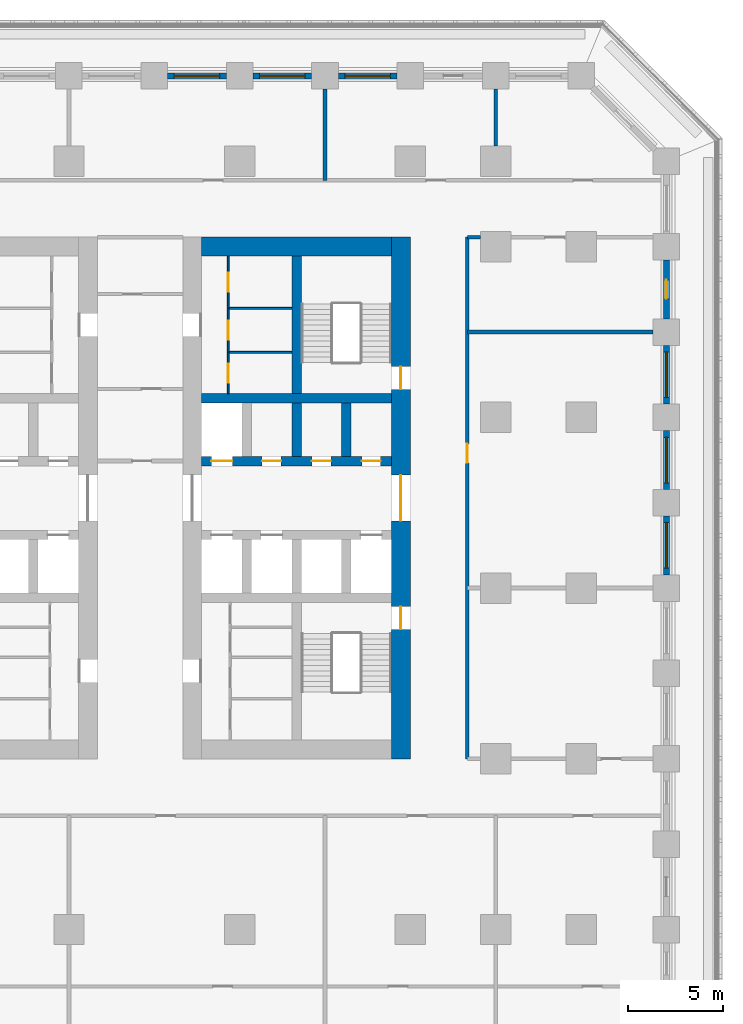
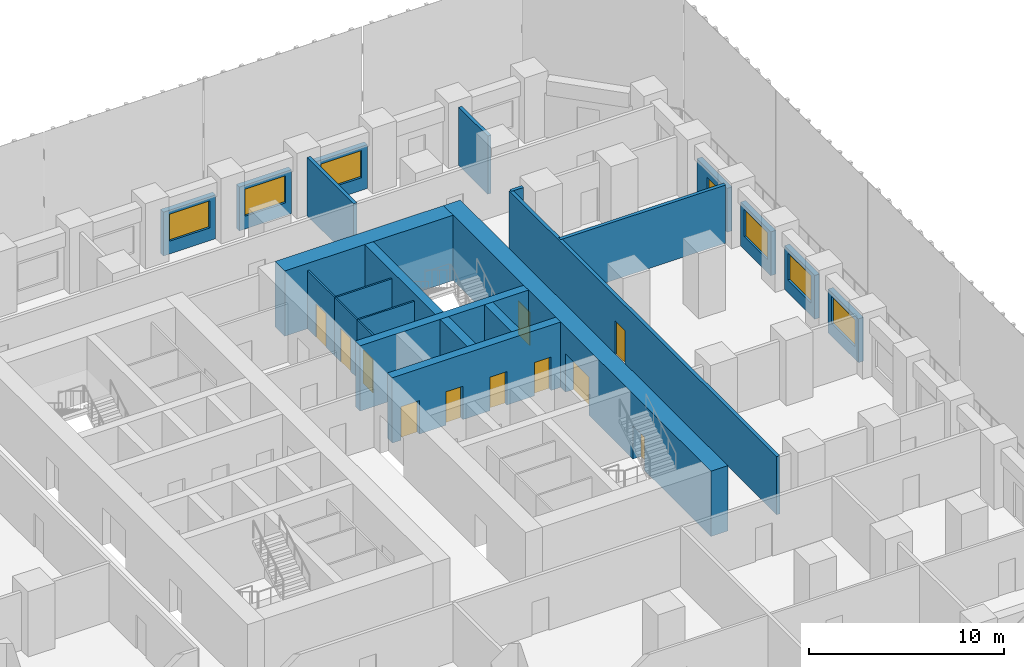
# One storey, part 7 of 14: 24 walls, 12 doors, 6 windows, 18 openings.
"""IFC4 building model written with IfcOpenShell, lengths in metres."""

import ifcopenshell
import ifcopenshell.guid

model = None  # the IFC model being written
_history = None  # IfcOwnerHistory: only IFC2X3 demands one
_inside = {}  # id of a spatial element -> (the spatial element, [elements in it])
_under = {}  # id of a project, library or spatial element -> (it, [spatial elements below it])
_declared = {}  # id of a project -> (the project, [libraries it declares])
_typed = {}  # id of a type object -> (the type object, [elements of that type])
_made_of = {}  # id of a material, layer set ... -> (it, [elements and type objects made of it])


def new_model(schema):
    """Start an empty IFC model of exactly this schema.

    Asked for "IFC4X3", IfcOpenShell would pick the latest addendum, in which some entities
    have other attributes; the version numbers below select the first issue.
    IFC2X3 requires an IfcOwnerHistory on every rooted entity: one is made here for all.
    """
    global model, _history
    if schema == "IFC4X3":
        model = ifcopenshell.file(schema_version=(4, 3, 0, 0))
    else:
        model = ifcopenshell.file(schema=schema)
    _inside.clear()
    _under.clear()
    _declared.clear()
    _typed.clear()
    _made_of.clear()
    _history = None
    if model.schema == "IFC2X3":
        org = make("IfcOrganization", Name="unknown")
        user = make(
            "IfcPersonAndOrganization",
            ThePerson=make("IfcPerson", FamilyName="unknown"),
            TheOrganization=org,
        )
        app = make(
            "IfcApplication",
            ApplicationDeveloper=org,
            Version="unknown",
            ApplicationFullName="unknown",
            ApplicationIdentifier="unknown",
        )
        _history = make(
            "IfcOwnerHistory",
            OwningUser=user,
            OwningApplication=app,
            ChangeAction="ADDED",
            CreationDate=0,
        )
    return model


def make(cls, **values):
    """One entity of the class cls with the attributes given. An attribute that is None is left unset."""
    return model.create_entity(
        cls, **{name: value for name, value in values.items() if value is not None}
    )


def rooted(cls, **values):
    """An entity with a GlobalId (a new one), such as an element, a storey or a relation."""
    return make(cls, GlobalId=ifcopenshell.guid.new(), OwnerHistory=_history, **values)


def si_unit(unit_type, name, prefix=None):
    """IfcSIUnit, for example si_unit("LENGTHUNIT", "METRE", prefix="MILLI")."""
    return make("IfcSIUnit", UnitType=unit_type, Prefix=prefix, Name=name)


def assignment(units):
    """IfcUnitAssignment: the units of a project."""
    return None if units is None else make("IfcUnitAssignment", Units=units)


def point(xyz):
    """IfcCartesianPoint."""
    return None if xyz is None else make("IfcCartesianPoint", Coordinates=xyz)


def direction(xyz):
    """IfcDirection."""
    return None if xyz is None else make("IfcDirection", DirectionRatios=xyz)


def frame(location, z_axis=None, x_axis=None):
    """IfcAxis2Placement3D, a coordinate frame: its origin and axes. An axis left out is left unset."""
    return make(
        "IfcAxis2Placement3D",
        Location=point(location),
        Axis=direction(z_axis),
        RefDirection=direction(x_axis),
    )


def frame_2d(location, x_axis=None):
    """IfcAxis2Placement2D, a coordinate frame in the plane: its origin and x axis."""
    return make(
        "IfcAxis2Placement2D", Location=point(location), RefDirection=direction(x_axis)
    )


def origin():
    """The frame at (0, 0, 0) with its axes left unset."""
    return frame((0.0, 0.0, 0.0))


def place(relative_to, where):
    """IfcLocalPlacement: puts the frame where relative to a parent placement (None: the world)."""
    return make(
        "IfcLocalPlacement", PlacementRelTo=relative_to, RelativePlacement=where
    )


def context(
    kind, dimensions, precision=None, world=None, true_north=None, identifier=None
):
    """IfcGeometricRepresentationContext, for example the 3D "Model" context."""
    return make(
        "IfcGeometricRepresentationContext",
        ContextIdentifier=identifier,
        ContextType=kind,
        CoordinateSpaceDimension=dimensions,
        Precision=precision,
        WorldCoordinateSystem=world,
        TrueNorth=true_north,
    )


def subcontext(parent, identifier, kind, view, scale=None):
    """IfcGeometricRepresentationSubContext, for example "Body" below "Model"."""
    return make(
        "IfcGeometricRepresentationSubContext",
        ContextIdentifier=identifier,
        ContextType=kind,
        ParentContext=parent,
        TargetScale=scale,
        TargetView=view,
    )


def project(units=None, contexts=None):
    """IfcProject with its units and contexts."""
    return rooted(
        "IfcProject",
        Name="project",
        RepresentationContexts=contexts,
        UnitsInContext=assignment(units),
    )


def spatial(cls, under=None, at=None, **own):
    """A site, building, storey or space (cls), placed at a placement, below another one or the project."""
    s = rooted(cls, ObjectPlacement=at, **own)
    if under is not None:
        _under.setdefault(under.id(), (under, []))[1].append(s)
    return s


def profile(cls, at=None, kind="AREA", **sizes):
    """A parametric profile (cls). Its sizes go by their IFC names, for example OverallWidth=200.0."""
    return make(cls, ProfileType=kind, Position=at, **sizes)


def rectangle(**sizes):
    """IfcRectangleProfileDef."""
    return profile("IfcRectangleProfileDef", **sizes)


def extrude(swept, where, along, depth):
    """IfcExtrudedAreaSolid: the profile swept, set in the frame where, extruded along a direction by depth."""
    return make(
        "IfcExtrudedAreaSolid",
        SweptArea=swept,
        Position=where,
        ExtrudedDirection=direction(along),
        Depth=depth,
    )


def shape(context_of_items, identifier, shape_type, items):
    """IfcShapeRepresentation: the items that make up one representation, for example the "Body"."""
    return make(
        "IfcShapeRepresentation",
        ContextOfItems=context_of_items,
        RepresentationIdentifier=identifier,
        RepresentationType=shape_type,
        Items=items,
    )


def material(Name=None, Category=None):
    """IfcMaterial."""
    return make("IfcMaterial", Name=Name, Category=Category)


def layer(
    of_material, thickness, ventilated=None, Name=None, Category=None, Priority=None
):
    """IfcMaterialLayer: one layer of a wall or slab, of a material (None: an air gap)."""
    return make(
        "IfcMaterialLayer",
        Material=of_material,
        LayerThickness=thickness,
        IsVentilated=ventilated,
        Name=Name,
        Category=Category,
        Priority=Priority,
    )


def layer_set(layers, Name=None):
    """IfcMaterialLayerSet."""
    return make("IfcMaterialLayerSet", MaterialLayers=layers, LayerSetName=Name)


def made_of(thing, what):
    """Note that an element or type object is made of a material, layer set ...; save() writes the relation."""
    if what is not None:
        _made_of.setdefault(what.id(), (what, []))[1].append(thing)
    return thing


def type_object(cls, material=None, **own):
    """A type object (cls), such as IfcWallType, which elements share."""
    return made_of(rooted(cls, **own), material)


def element(
    cls,
    number,
    at=None,
    inside=None,
    cuts=None,
    type_object=None,
    material=None,
    context=None,
    identifier="Body",
    shape_type=None,
    held_by="IfcProductDefinitionShape",
    body=None,
    shapes=None,
    **own,
):
    """One element of the class cls, such as IfcWall. Its Tag is "e" and its number.

    at: its placement. inside: the storey or other place that contains it. cuts: it is an
    opening in that element (IfcRelVoidsElement). A single representation is given by context,
    identifier, shape_type and body (its items); several are given by shapes. held_by: the class
    of the entity that holds the representations. save() writes the other relations.
    """
    e = rooted(cls, Tag="e%d" % number, ObjectPlacement=at, **own)
    if body is not None:
        shapes = [shape(context, identifier, shape_type, body)]
    if shapes is not None:
        e.Representation = make(held_by, Representations=shapes)
    if inside is not None:
        _inside.setdefault(inside.id(), (inside, []))[1].append(e)
    if cuts is not None:
        rooted(
            "IfcRelVoidsElement", RelatingBuildingElement=cuts, RelatedOpeningElement=e
        )
    if type_object is not None:
        _typed.setdefault(type_object.id(), (type_object, []))[1].append(e)
    return made_of(e, material)


def fill(opening, filler):
    """IfcRelFillsElement: the door or window that sits in an opening."""
    return rooted(
        "IfcRelFillsElement",
        RelatingOpeningElement=opening,
        RelatedBuildingElement=filler,
    )


def aggregate(whole, parts):
    """IfcRelAggregates: a whole, such as a stair, and the parts it consists of."""
    return rooted("IfcRelAggregates", RelatingObject=whole, RelatedObjects=parts)


def save(model, path):
    """Write the relations noted so far, then the file.

    IfcRelAggregates (storeys below a building ...), IfcRelContainedInSpatialStructure (elements
    in a storey), IfcRelDefinesByType, IfcRelAssociatesMaterial and IfcRelDeclares: one each for
    every whole, place, type object, material and project.
    """
    for whole, parts in _under.values():
        aggregate(whole, parts)
    for where, things in _inside.values():
        rooted(
            "IfcRelContainedInSpatialStructure",
            RelatedElements=things,
            RelatingStructure=where,
        )
    for kind, things in _typed.values():
        rooted("IfcRelDefinesByType", RelatedObjects=things, RelatingType=kind)
    for what, things in _made_of.values():
        rooted("IfcRelAssociatesMaterial", RelatedObjects=things, RelatingMaterial=what)
    for by, libraries in _declared.values():
        rooted("IfcRelDeclares", RelatingContext=by, RelatedDefinitions=libraries)
    model.write(path)


model = new_model("IFC4")

# Units and contexts
model_context = context("Model", 3, precision=1e-05, world=origin(), true_north=direction((0.0, 1.0)))
body_context = subcontext(model_context, "Body", "Model", "MODEL_VIEW")
ifc_project = project(units=[si_unit("LENGTHUNIT", "METRE"), si_unit("AREAUNIT", "SQUARE_METRE"), si_unit("VOLUMEUNIT", "CUBIC_METRE"), si_unit("PLANEANGLEUNIT", "RADIAN"), si_unit("MASSUNIT", "GRAM", prefix="KILO")], contexts=[model_context])

# Site, building, storey
site_placement = place(None, origin())
site = spatial("IfcSite", under=ifc_project, at=site_placement, CompositionType="ELEMENT")
building_placement = place(site_placement, origin())
building = spatial("IfcBuilding", under=site, at=building_placement, Name="Corbel Stack Research Tower", CompositionType="ELEMENT")
storey_placement = place(building_placement, frame((0.0, 0.0, 50.10009765625)))
storey = spatial("IfcBuildingStorey", under=building, at=storey_placement, Name="L11", CompositionType="ELEMENT", Elevation=50.10009765625)

# Wall, openings, doors
ifc_material_1 = material(Name="Concrete C70/85", Category="concrete")
ifc_layer_1 = layer(ifc_material_1, 1.0)
ifc_layer_set_1 = layer_set([ifc_layer_1], Name="Concrete C70/85")
wall_type_1 = type_object("IfcWallType", Name="CW-1000-70", PredefinedType="SHEAR", material=ifc_layer_set_1)
wall_1_placement = place(storey_placement, frame((17.5, -9.0, 0.0), z_axis=(0.0, 0.0, 1.0), x_axis=(0.0, 1.0, 0.0)))
wall_1 = element("IfcWall", 1, at=wall_1_placement, inside=storey, type_object=wall_type_1, Name="East core wall, east face L11", PredefinedType="SHEAR", context=body_context, shape_type="SweptSolid", body=[
    extrude(rectangle(XDim=27.5, YDim=1.0, at=frame_2d((13.75, 0.0))), origin(), (0.0, 0.0, 1.0), 4.099853515625),
])
opening_1_placement = place(wall_1_placement, frame((12.550048828125, 0.0, 0.0)))
opening_1 = element("IfcOpeningElement", 2, at=opening_1_placement, cuts=wall_1, Name="Opening CD-E-E", PredefinedType="OPENING", context=body_context, shape_type="SweptSolid", body=[
    extrude(rectangle(XDim=2.39990234375, YDim=2.39990234375, at=frame_2d((1.199951171875, 1.199951171875))), frame((0.0, 0.510009765625, 0.0), z_axis=(0.0, -1.0, 0.0), x_axis=(1.0, 0.0, 0.0)), (0.0, 0.0, 1.0), 1.02001953125),
])
opening_2_placement = place(wall_1_placement, frame((6.824951171875, 0.0, 0.0)))
opening_2 = element("IfcOpeningElement", 3, at=opening_2_placement, cuts=wall_1, Name="Opening SD-ST-E1", PredefinedType="OPENING", context=body_context, shape_type="SweptSolid", body=[
    extrude(rectangle(XDim=1.199951171875, YDim=2.10009765625, at=frame_2d((0.60009765625, 1.050048828125))), frame((0.0, 0.510009765625, 0.0), z_axis=(0.0, -1.0, 0.0), x_axis=(1.0, 0.0, 0.0)), (0.0, 0.0, 1.0), 1.02001953125),
])
opening_3_placement = place(wall_1_placement, frame((19.47509765625, 0.0, 0.0)))
opening_3 = element("IfcOpeningElement", 4, at=opening_3_placement, cuts=wall_1, Name="Opening SD-ST-E2", PredefinedType="OPENING", context=body_context, shape_type="SweptSolid", body=[
    extrude(rectangle(XDim=1.199951171875, YDim=2.10009765625, at=frame_2d((0.60009765625, 1.050048828125))), frame((0.0, 0.510009765625, 0.0), z_axis=(0.0, -1.0, 0.0), x_axis=(1.0, 0.0, 0.0)), (0.0, 0.0, 1.0), 1.02001953125),
])
ifc_material_2 = material(Name="Painted steel fire door", Category="steel")
door_type_1 = type_object("IfcDoorType", Name="Lobby door pair 2400 x 2400 FD30S", OperationType="DOUBLE_DOOR_DOUBLE_SWING", PredefinedType="DOOR", material=ifc_material_2)
door_1_placement = place(opening_1_placement, origin())
door_1 = element("IfcDoor", 5, at=door_1_placement, inside=storey, type_object=door_type_1, Name="Lift lobby door E core E", OperationType="DOUBLE_DOOR_DOUBLE_SWING", OverallHeight=2.39990234375, OverallWidth=2.39990234375, PredefinedType="DOOR", context=body_context, shape_type="SweptSolid", body=[
    extrude(rectangle(XDim=2.39990234375, YDim=2.39990234375, at=frame_2d((1.199951171875, 1.199951171875))), frame((0.0, 0.02490234375, 0.0), z_axis=(0.0, -1.0, 0.0), x_axis=(1.0, 0.0, 0.0)), (0.0, 0.0, 1.0), 0.050048828125),
])
fill(opening_1, door_1)
ifc_material_3 = material(Name="Painted steel fire door", Category="steel")
door_type_2 = type_object("IfcDoorType", Name="Stair door 1200 x 2100 FD90 right hand", OperationType="SINGLE_SWING_RIGHT", PredefinedType="DOOR", material=ifc_material_3)
door_2_placement = place(opening_2_placement, frame((1.199951171875, 0.0, 0.0), z_axis=(0.0, 0.0, 1.0), x_axis=(-1.0, 0.0, 0.0)))
door_2 = element("IfcDoor", 6, at=door_2_placement, inside=storey, type_object=door_type_2, Name="Stair door ST-E1", OperationType="SINGLE_SWING_LEFT", OverallHeight=2.10009765625, OverallWidth=1.199951171875, PredefinedType="DOOR", context=body_context, shape_type="SweptSolid", body=[
    extrude(rectangle(XDim=1.199951171875, YDim=2.10009765625, at=frame_2d((0.60009765625, 1.050048828125))), frame((0.0, 0.02490234375, 0.0), z_axis=(0.0, -1.0, 0.0), x_axis=(1.0, 0.0, 0.0)), (0.0, 0.0, 1.0), 0.050048828125),
])
fill(opening_2, door_2)
door_3_placement = place(opening_3_placement, frame((1.199951171875, 0.0, 0.0), z_axis=(0.0, 0.0, 1.0), x_axis=(-1.0, 0.0, 0.0)))
door_3 = element("IfcDoor", 7, at=door_3_placement, inside=storey, type_object=door_type_2, Name="Stair door ST-E2", OperationType="SINGLE_SWING_LEFT", OverallHeight=2.10009765625, OverallWidth=1.199951171875, PredefinedType="DOOR", context=body_context, shape_type="SweptSolid", body=[
    extrude(rectangle(XDim=1.199951171875, YDim=2.10009765625, at=frame_2d((0.60009765625, 1.050048828125))), frame((0.0, 0.02490234375, 0.0), z_axis=(0.0, -1.0, 0.0), x_axis=(1.0, 0.0, 0.0)), (0.0, 0.0, 1.0), 0.050048828125),
])
fill(opening_3, door_3)

# Wall
wall_2_placement = place(storey_placement, frame((7.0, 18.0, 0.0), z_axis=(0.0, 0.0, 1.0), x_axis=(1.0, 0.0, 0.0)))
element("IfcWall", 8, at=wall_2_placement, inside=storey, type_object=wall_type_1, Name="East core wall, north end L11", PredefinedType="SHEAR", context=body_context, shape_type="SweptSolid", body=[
    extrude(rectangle(XDim=10.0, YDim=1.0, at=frame_2d((5.0, 0.0))), origin(), (0.0, 0.0, 1.0), 4.099853515625),
])

# Wall, openings, doors
ifc_material_4 = material(Name="Concrete C70/85", Category="concrete")
ifc_layer_2 = layer(ifc_material_4, 0.5)
ifc_layer_set_2 = layer_set([ifc_layer_2], Name="Concrete C70/85")
wall_type_2 = type_object("IfcWallType", Name="CW-500-70", PredefinedType="SHEAR", material=ifc_layer_set_2)
wall_3_placement = place(storey_placement, frame((7.0, 6.699951171875, 0.0), z_axis=(0.0, 0.0, 1.0), x_axis=(1.0, 0.0, 0.0)))
wall_3 = element("IfcWall", 9, at=wall_3_placement, inside=storey, type_object=wall_type_2, Name="East core wall, lobby north L11", PredefinedType="SHEAR", context=body_context, shape_type="SweptSolid", body=[
    extrude(rectangle(XDim=10.0, YDim=0.5, at=frame_2d((5.0, 0.0))), origin(), (0.0, 0.0, 1.0), 4.099853515625),
])
opening_4_placement = place(wall_3_placement, frame((0.512451171875, 0.0, 0.0)))
opening_4 = element("IfcOpeningElement", 10, at=opening_4_placement, cuts=wall_3, Name="Opening LD-LR4", PredefinedType="OPENING", context=body_context, shape_type="SweptSolid", body=[
    extrude(rectangle(XDim=1.10009765625, YDim=2.10009765625, at=frame_2d((0.550048828125, 1.050048828125))), frame((0.0, 0.260009765625, 0.0), z_axis=(0.0, -1.0, 0.0), x_axis=(1.0, 0.0, 0.0)), (0.0, 0.0, 1.0), 0.52001953125),
])
opening_5_placement = place(wall_3_placement, frame((3.1875, 0.0, 0.0)))
opening_5 = element("IfcOpeningElement", 11, at=opening_5_placement, cuts=wall_3, Name="Opening CR-E42-N2", PredefinedType="OPENING", context=body_context, shape_type="SweptSolid", body=[
    extrude(rectangle(XDim=1.0, YDim=2.10009765625, at=frame_2d((0.5, 1.050048828125))), frame((0.0, 0.260009765625, 0.0), z_axis=(0.0, -1.0, 0.0), x_axis=(1.0, 0.0, 0.0)), (0.0, 0.0, 1.0), 0.52001953125),
])
opening_6_placement = place(wall_3_placement, frame((5.8125, 0.0, 0.0)))
opening_6 = element("IfcOpeningElement", 12, at=opening_6_placement, cuts=wall_3, Name="Opening CR-E42-N3", PredefinedType="OPENING", context=body_context, shape_type="SweptSolid", body=[
    extrude(rectangle(XDim=1.0, YDim=2.10009765625, at=frame_2d((0.5, 1.050048828125))), frame((0.0, 0.260009765625, 0.0), z_axis=(0.0, -1.0, 0.0), x_axis=(1.0, 0.0, 0.0)), (0.0, 0.0, 1.0), 0.52001953125),
])
opening_7_placement = place(wall_3_placement, frame((8.4375, 0.0, 0.0)))
opening_7 = element("IfcOpeningElement", 13, at=opening_7_placement, cuts=wall_3, Name="Opening CR-E42-N4", PredefinedType="OPENING", context=body_context, shape_type="SweptSolid", body=[
    extrude(rectangle(XDim=1.0, YDim=2.10009765625, at=frame_2d((0.5, 1.050048828125))), frame((0.0, 0.260009765625, 0.0), z_axis=(0.0, -1.0, 0.0), x_axis=(1.0, 0.0, 0.0)), (0.0, 0.0, 1.0), 0.52001953125),
])
ifc_material_5 = material(Name="Stainless steel landing door", Category="steel")
door_type_3 = type_object("IfcDoorType", Name="Lift landing door 1100 x 2100", OperationType="DOUBLE_DOOR_SLIDING", PredefinedType="DOOR", material=ifc_material_5)
door_4_placement = place(opening_4_placement, origin())
door_4 = element("IfcDoor", 14, at=door_4_placement, inside=storey, type_object=door_type_3, Name="Landing door LR4", OperationType="DOUBLE_DOOR_SLIDING", OverallHeight=2.10009765625, OverallWidth=1.10009765625, PredefinedType="DOOR", context=body_context, shape_type="SweptSolid", body=[
    extrude(rectangle(XDim=1.10009765625, YDim=2.10009765625, at=frame_2d((0.550048828125, 1.050048828125))), frame((0.0, 0.02490234375, 0.0), z_axis=(0.0, -1.0, 0.0), x_axis=(1.0, 0.0, 0.0)), (0.0, 0.0, 1.0), 0.050048828125),
])
fill(opening_4, door_4)
ifc_material_6 = material(Name="Painted steel door", Category="steel")
door_type_4 = type_object("IfcDoorType", Name="Service door 1000 x 2100 FD60 left hand", OperationType="SINGLE_SWING_LEFT", PredefinedType="DOOR", material=ifc_material_6)
door_5_placement = place(opening_6_placement, origin())
door_5 = element("IfcDoor", 15, at=door_5_placement, inside=storey, type_object=door_type_4, Name="Copy and supply store door E core", OperationType="SINGLE_SWING_LEFT", OverallHeight=2.10009765625, OverallWidth=1.0, PredefinedType="DOOR", context=body_context, shape_type="SweptSolid", body=[
    extrude(rectangle(XDim=1.0, YDim=2.10009765625, at=frame_2d((0.5, 1.050048828125))), frame((0.0, 0.02490234375, 0.0), z_axis=(0.0, -1.0, 0.0), x_axis=(1.0, 0.0, 0.0)), (0.0, 0.0, 1.0), 0.050048828125),
])
fill(opening_6, door_5)
ifc_material_7 = material(Name="Painted steel door", Category="steel")
door_type_5 = type_object("IfcDoorType", Name="Service door 1000 x 2100 FD60 right hand", OperationType="SINGLE_SWING_RIGHT", PredefinedType="DOOR", material=ifc_material_7)
door_6_placement = place(opening_5_placement, origin())
door_6 = element("IfcDoor", 16, at=door_6_placement, inside=storey, type_object=door_type_5, Name="Telecom room door E core", OperationType="SINGLE_SWING_RIGHT", OverallHeight=2.10009765625, OverallWidth=1.0, PredefinedType="DOOR", context=body_context, shape_type="SweptSolid", body=[
    extrude(rectangle(XDim=1.0, YDim=2.10009765625, at=frame_2d((0.5, 1.050048828125))), frame((0.0, 0.02490234375, 0.0), z_axis=(0.0, -1.0, 0.0), x_axis=(1.0, 0.0, 0.0)), (0.0, 0.0, 1.0), 0.050048828125),
])
fill(opening_5, door_6)
door_7_placement = place(opening_7_placement, origin())
door_7 = element("IfcDoor", 17, at=door_7_placement, inside=storey, type_object=door_type_5, Name="Records store door E core", OperationType="SINGLE_SWING_RIGHT", OverallHeight=2.10009765625, OverallWidth=1.0, PredefinedType="DOOR", context=body_context, shape_type="SweptSolid", body=[
    extrude(rectangle(XDim=1.0, YDim=2.10009765625, at=frame_2d((0.5, 1.050048828125))), frame((0.0, 0.02490234375, 0.0), z_axis=(0.0, -1.0, 0.0), x_axis=(1.0, 0.0, 0.0)), (0.0, 0.0, 1.0), 0.050048828125),
])
fill(opening_7, door_7)

# Walls
wall_4_placement = place(storey_placement, frame((7.0, 10.0, 0.0), z_axis=(0.0, 0.0, 1.0), x_axis=(1.0, 0.0, 0.0)))
element("IfcWall", 18, at=wall_4_placement, inside=storey, type_object=wall_type_2, Name="East core wall, north row back L11", PredefinedType="SHEAR", context=body_context, shape_type="SweptSolid", body=[
    extrude(rectangle(XDim=10.0, YDim=0.5, at=frame_2d((5.0, 0.0))), origin(), (0.0, 0.0, 1.0), 4.099853515625),
])
for number, where, z_axis, x_axis, name in (
    (19, (12.0, 6.949951171875, 0.0), (0.0, 0.0, 1.0), (0.0, 1.0, 0.0), "East core wall, north shaft 2 L11"),
    (20, (14.625, 6.949951171875, 0.0), (0.0, 0.0, 1.0), (0.0, 1.0, 0.0), "East core wall, north shaft 3 L11"),
):
    element("IfcWall", number, at=place(storey_placement, frame(where, z_axis=z_axis, x_axis=x_axis)), inside=storey, type_object=wall_type_2, Name=name, PredefinedType="SHEAR", context=body_context, shape_type="SweptSolid", body=[
        extrude(rectangle(XDim=2.800048828125, YDim=0.5, at=frame_2d((1.39990234375, 0.0))), origin(), (0.0, 0.0, 1.0), 4.099853515625),
    ])
wall_5_placement = place(storey_placement, frame((12.0, 10.25, 0.0), z_axis=(0.0, 0.0, 1.0), x_axis=(0.0, 1.0, 0.0)))
element("IfcWall", 21, at=wall_5_placement, inside=storey, type_object=wall_type_2, Name="East core wall, north stair and riser L11", PredefinedType="SHEAR", context=body_context, shape_type="SweptSolid", body=[
    extrude(rectangle(XDim=7.25, YDim=0.5, at=frame_2d((3.625, 0.0))), origin(), (0.0, 0.0, 1.0), 4.099853515625),
])

# Wall, opening, door
ifc_material_8 = material(Name="Gypsum board")
ifc_layer_3 = layer(ifc_material_8, 0.10009765625)
ifc_layer_set_3 = layer_set([ifc_layer_3], Name="Gypsum board")
wall_type_3 = type_object("IfcWallType", Name="Core partition 100", PredefinedType="PARTITIONING", material=ifc_layer_set_3)
wall_6_placement = place(storey_placement, frame((8.39990234375, 10.25, 0.0), z_axis=(0.0, 0.0, 1.0), x_axis=(0.0, 1.0, 0.0)))
wall_6 = element("IfcWall", 22, at=wall_6_placement, inside=storey, type_object=wall_type_3, Name="Core partition E", PredefinedType="PARTITIONING", context=body_context, shape_type="SweptSolid", body=[
    extrude(rectangle(XDim=2.175048828125, YDim=0.10009765625, at=frame_2d((1.08740234375, 0.0))), origin(), (0.0, 0.0, 1.0), 3.64990234375),
])
opening_8_placement = place(wall_6_placement, frame((0.58740234375, 0.0, 0.0)))
opening_8 = element("IfcOpeningElement", 23, at=opening_8_placement, cuts=wall_6, Name="Opening CR-E42-R2-1000", PredefinedType="OPENING", context=body_context, shape_type="SweptSolid", body=[
    extrude(rectangle(XDim=1.0, YDim=2.10009765625, at=frame_2d((0.5, 1.050048828125))), frame((0.0, 0.06005859375, 0.0), z_axis=(0.0, -1.0, 0.0), x_axis=(1.0, 0.0, 0.0)), (0.0, 0.0, 1.0), 0.1201171875),
])
ifc_material_9 = material(Name="Painted steel door", Category="steel")
door_type_6 = type_object("IfcDoorType", Name="Riser door 1000 x 2100 FD60 left hand", OperationType="SINGLE_SWING_LEFT", PredefinedType="DOOR", material=ifc_material_9)
door_8_placement = place(opening_8_placement, origin())
door_8 = element("IfcDoor", 24, at=door_8_placement, inside=storey, type_object=door_type_6, Name="Mechanical riser door E core", OperationType="SINGLE_SWING_LEFT", OverallHeight=2.10009765625, OverallWidth=1.0, PredefinedType="DOOR", context=body_context, shape_type="SweptSolid", body=[
    extrude(rectangle(XDim=1.0, YDim=2.10009765625, at=frame_2d((0.5, 1.050048828125))), frame((0.0, 0.02490234375, 0.0), z_axis=(0.0, -1.0, 0.0), x_axis=(1.0, 0.0, 0.0)), (0.0, 0.0, 1.0), 0.050048828125),
])
fill(opening_8, door_8)

wall_7_placement = place(storey_placement, frame((8.39990234375, 12.425048828125, 0.0), z_axis=(0.0, 0.0, 1.0), x_axis=(0.0, 1.0, 0.0)))
wall_7 = element("IfcWall", 25, at=wall_7_placement, inside=storey, type_object=wall_type_3, Name="Core partition E", PredefinedType="PARTITIONING", context=body_context, shape_type="SweptSolid", body=[
    extrude(rectangle(XDim=2.320068359375, YDim=0.10009765625, at=frame_2d((1.16015625, 0.0))), origin(), (0.0, 0.0, 1.0), 3.64990234375),
])
opening_9_placement = place(wall_7_placement, frame((0.659912109375, 0.0, 0.0)))
opening_9 = element("IfcOpeningElement", 26, at=opening_9_placement, cuts=wall_7, Name="Opening CR-E42-R3-1000", PredefinedType="OPENING", context=body_context, shape_type="SweptSolid", body=[
    extrude(rectangle(XDim=1.0, YDim=2.10009765625, at=frame_2d((0.5, 1.050048828125))), frame((0.0, 0.06005859375, 0.0), z_axis=(0.0, -1.0, 0.0), x_axis=(1.0, 0.0, 0.0)), (0.0, 0.0, 1.0), 0.1201171875),
])
ifc_material_10 = material(Name="Painted steel door", Category="steel")
door_type_7 = type_object("IfcDoorType", Name="Service door 1000 x 2100 FD30 right hand", OperationType="SINGLE_SWING_RIGHT", PredefinedType="DOOR", material=ifc_material_10)
door_9_placement = place(opening_9_placement, origin())
door_9 = element("IfcDoor", 27, at=door_9_placement, inside=storey, type_object=door_type_7, Name="Pantry door E core", OperationType="SINGLE_SWING_RIGHT", OverallHeight=2.10009765625, OverallWidth=1.0, PredefinedType="DOOR", context=body_context, shape_type="SweptSolid", body=[
    extrude(rectangle(XDim=1.0, YDim=2.10009765625, at=frame_2d((0.5, 1.050048828125))), frame((0.0, 0.02490234375, 0.0), z_axis=(0.0, -1.0, 0.0), x_axis=(1.0, 0.0, 0.0)), (0.0, 0.0, 1.0), 0.050048828125),
])
fill(opening_9, door_9)

wall_8_placement = place(storey_placement, frame((8.39990234375, 14.7451171875, 0.0), z_axis=(0.0, 0.0, 1.0), x_axis=(0.0, 1.0, 0.0)))
wall_8 = element("IfcWall", 28, at=wall_8_placement, inside=storey, type_object=wall_type_3, Name="Core partition E", PredefinedType="PARTITIONING", context=body_context, shape_type="SweptSolid", body=[
    extrude(rectangle(XDim=2.7548828125, YDim=0.10009765625, at=frame_2d((1.37744140625, 0.0))), origin(), (0.0, 0.0, 1.0), 3.64990234375),
])
opening_10_placement = place(wall_8_placement, frame((0.87744140625, 0.0, 0.0)))
opening_10 = element("IfcOpeningElement", 29, at=opening_10_placement, cuts=wall_8, Name="Opening CR-E42-R4-1000", PredefinedType="OPENING", context=body_context, shape_type="SweptSolid", body=[
    extrude(rectangle(XDim=1.0, YDim=2.10009765625, at=frame_2d((0.5, 1.050048828125))), frame((0.0, 0.06005859375, 0.0), z_axis=(0.0, -1.0, 0.0), x_axis=(1.0, 0.0, 0.0)), (0.0, 0.0, 1.0), 0.1201171875),
])
door_10_placement = place(opening_10_placement, origin())
door_10 = element("IfcDoor", 30, at=door_10_placement, inside=storey, type_object=door_type_6, Name="Electrical riser door E core", OperationType="SINGLE_SWING_LEFT", OverallHeight=2.10009765625, OverallWidth=1.0, PredefinedType="DOOR", context=body_context, shape_type="SweptSolid", body=[
    extrude(rectangle(XDim=1.0, YDim=2.10009765625, at=frame_2d((0.5, 1.050048828125))), frame((0.0, 0.02490234375, 0.0), z_axis=(0.0, -1.0, 0.0), x_axis=(1.0, 0.0, 0.0)), (0.0, 0.0, 1.0), 0.050048828125),
])
fill(opening_10, door_10)

# Walls
for number, where, z_axis, x_axis, name in (
    (31, (8.39990234375, 12.425048828125, 0.0), (0.0, 0.0, 1.0), (1.0, 0.0, 0.0), "Core partition E"),
    (32, (8.39990234375, 14.7451171875, 0.0), (0.0, 0.0, 1.0), (1.0, 0.0, 0.0), "Core partition E"),
):
    element("IfcWall", number, at=place(storey_placement, frame(where, z_axis=z_axis, x_axis=x_axis)), inside=storey, type_object=wall_type_3, Name=name, PredefinedType="PARTITIONING", context=body_context, shape_type="SweptSolid", body=[
        extrude(rectangle(XDim=3.35009765625, YDim=0.10009765625, at=frame_2d((1.675048828125, 0.0))), origin(), (0.0, 0.0, 1.0), 3.64990234375),
    ])
ifc_material_11 = material(Name="Fire-rated gypsum board partition on steel studs", Category="steel")
ifc_layer_4 = layer(ifc_material_11, 0.199951171875)
ifc_layer_set_4 = layer_set([ifc_layer_4], Name="Fire-rated gypsum board partition on steel studs")
wall_type_4 = type_object("IfcWallType", Name="Fire-rated partition 200 EI 60", PredefinedType="PARTITIONING", material=ifc_layer_set_4)
wall_9_placement = place(storey_placement, frame((13.5, 21.5, 0.0), z_axis=(0.0, 0.0, 1.0), x_axis=(0.0, 1.0, 0.0)))
element("IfcWall", 33, at=wall_9_placement, inside=storey, type_object=wall_type_4, Name="Partition L11-008", PredefinedType="PARTITIONING", context=body_context, shape_type="SweptSolid", body=[
    extrude(rectangle(XDim=4.800048828125, YDim=0.199951171875, at=frame_2d((2.39990234375, 0.0))), origin(), (0.0, 0.0, 1.0), 3.64990234375),
])

# Wall, opening, door
wall_10_placement = place(storey_placement, frame((21.0, 18.5, 0.0), z_axis=(0.0, 0.0, 1.0), x_axis=(0.0, -1.0, 0.0)))
wall_10 = element("IfcWall", 34, at=wall_10_placement, inside=storey, type_object=wall_type_4, Name="Partition L11-009", PredefinedType="PARTITIONING", context=body_context, shape_type="SweptSolid", body=[
    extrude(rectangle(XDim=27.5, YDim=0.199951171875, at=frame_2d((13.75, 0.0))), origin(), (0.0, 0.0, 1.0), 3.64990234375),
])
opening_11_placement = place(wall_10_placement, frame((10.89990234375, 0.0, 0.0)))
opening_11 = element("IfcOpeningElement", 35, at=opening_11_placement, cuts=wall_10, Name="Opening B2V1-019", PredefinedType="OPENING", context=body_context, shape_type="SweptSolid", body=[
    extrude(rectangle(XDim=1.0, YDim=2.10009765625, at=frame_2d((0.5, 1.050048828125))), frame((0.0, 0.10986328125, 0.0), z_axis=(0.0, -1.0, 0.0), x_axis=(1.0, 0.0, 0.0)), (0.0, 0.0, 1.0), 0.219970703125),
])
ifc_material_12 = material(Name="Painted steel fire door", Category="steel")
door_type_8 = type_object("IfcDoorType", Name="Fire door FD30S 1000 x 2100", OperationType="NOTDEFINED", PredefinedType="DOOR", material=ifc_material_12)
door_11_placement = place(opening_11_placement, origin())
door_11 = element("IfcDoor", 36, at=door_11_placement, inside=storey, type_object=door_type_8, Name="Door B2V1-019", OperationType="SINGLE_SWING_LEFT", OverallHeight=2.10009765625, OverallWidth=1.0, PredefinedType="DOOR", context=body_context, shape_type="SweptSolid", body=[
    extrude(rectangle(XDim=1.0, YDim=2.10009765625, at=frame_2d((0.5, 1.050048828125))), frame((0.0, 0.02490234375, 0.0), z_axis=(0.0, -1.0, 0.0), x_axis=(1.0, 0.0, 0.0)), (0.0, 0.0, 1.0), 0.050048828125),
])
fill(opening_11, door_11)

# Walls
wall_11_placement = place(storey_placement, frame((22.5, 23.300048828125, 0.0), z_axis=(0.0, 0.0, 1.0), x_axis=(0.0, 1.0, 0.0)))
element("IfcWall", 37, at=wall_11_placement, inside=storey, type_object=wall_type_4, Name="Partition L11-012", PredefinedType="PARTITIONING", context=body_context, shape_type="SweptSolid", body=[
    extrude(rectangle(XDim=3.0, YDim=0.199951171875, at=frame_2d((1.5, 0.0))), origin(), (0.0, 0.0, 1.0), 3.64990234375),
])
wall_12_placement = place(storey_placement, frame((21.0, 13.5, 0.0), z_axis=(0.0, 0.0, 1.0), x_axis=(1.0, 0.0, 0.0)))
element("IfcWall", 38, at=wall_12_placement, inside=storey, type_object=wall_type_4, Name="Partition L11-028", PredefinedType="PARTITIONING", context=body_context, shape_type="SweptSolid", body=[
    extrude(rectangle(XDim=9.800048828125, YDim=0.199951171875, at=frame_2d((4.89990234375, 0.0))), origin(), (0.0, 0.0, 1.0), 3.64990234375),
])
wall_13_placement = place(storey_placement, frame((21.0, 18.5, 0.0), z_axis=(0.0, 0.0, 1.0), x_axis=(1.0, 0.0, 0.0)))
element("IfcWall", 39, at=wall_13_placement, inside=storey, type_object=wall_type_4, Name="Partition L11-033", PredefinedType="PARTITIONING", context=body_context, shape_type="SweptSolid", body=[
    extrude(rectangle(XDim=0.699951171875, YDim=0.199951171875, at=frame_2d((0.35009765625, 0.0))), origin(), (0.0, 0.0, 1.0), 3.64990234375),
])

# Wall, opening, window
ifc_material_13 = material(Name="Concrete C45/55", Category="concrete")
ifc_layer_5 = layer(ifc_material_13, 0.300048828125)
ifc_layer_set_5 = layer_set([ifc_layer_5], Name="Concrete C45/55")
wall_type_5 = type_object("IfcWallType", Name="Terracotta-faced concrete wall 300", PredefinedType="SOLIDWALL", material=ifc_layer_set_5)
wall_14_placement = place(storey_placement, frame((31.5, 3.800048828125, 0.0), z_axis=(0.0, 0.0, 1.0), x_axis=(0.0, -1.0, 0.0)))
wall_14 = element("IfcWall", 40, at=wall_14_placement, inside=storey, type_object=wall_type_5, Name="Facade wall L11 E06", PredefinedType="SOLIDWALL", context=body_context, shape_type="SweptSolid", body=[
    extrude(rectangle(XDim=3.10009765625, YDim=0.300048828125, at=frame_2d((1.550048828125, 0.0))), origin(), (0.0, 0.0, 1.0), 2.75),
])
opening_12_placement = place(wall_14_placement, frame((0.35009765625, 0.0, 0.800048828125)))
opening_12 = element("IfcOpeningElement", 41, at=opening_12_placement, cuts=wall_14, Name="Opening W1", PredefinedType="OPENING", context=body_context, shape_type="SweptSolid", body=[
    extrude(rectangle(XDim=2.39990234375, YDim=1.699951171875, at=frame_2d((1.199951171875, 0.85009765625))), frame((0.0, 0.159912109375, 0.0), z_axis=(0.0, -1.0, 0.0), x_axis=(1.0, 0.0, 0.0)), (0.0, 0.0, 1.0), 0.320068359375),
])
ifc_material_14 = material(Name="Aluminium frame, clear double glazing", Category="aluminium")
window_type = type_object("IfcWindowType", Name="Window W1 2400 x 1700", PartitioningType="SINGLE_PANEL", PredefinedType="WINDOW", material=ifc_material_14)
window_1_placement = place(opening_12_placement, origin())
window_1 = element("IfcWindow", 42, at=window_1_placement, inside=storey, type_object=window_type, Name="Window W1 L11 E06", OverallHeight=1.699951171875, OverallWidth=2.39990234375, PartitioningType="SINGLE_PANEL", PredefinedType="WINDOW", context=body_context, shape_type="SweptSolid", body=[
    extrude(rectangle(XDim=2.39990234375, YDim=1.699951171875, at=frame_2d((1.199951171875, 0.85009765625))), frame((0.0, 0.030029296875, 0.0), z_axis=(0.0, -1.0, 0.0), x_axis=(1.0, 0.0, 0.0)), (0.0, 0.0, 1.0), 0.06005859375),
])
fill(opening_12, window_1)

wall_15_placement = place(storey_placement, frame((31.5, 8.300048828125, 0.0), z_axis=(0.0, 0.0, 1.0), x_axis=(0.0, -1.0, 0.0)))
wall_15 = element("IfcWall", 43, at=wall_15_placement, inside=storey, type_object=wall_type_5, Name="Facade wall L11 E07", PredefinedType="SOLIDWALL", context=body_context, shape_type="SweptSolid", body=[
    extrude(rectangle(XDim=3.10009765625, YDim=0.300048828125, at=frame_2d((1.550048828125, 0.0))), origin(), (0.0, 0.0, 1.0), 2.75),
])
opening_13_placement = place(wall_15_placement, frame((0.35009765625, 0.0, 0.800048828125)))
opening_13 = element("IfcOpeningElement", 44, at=opening_13_placement, cuts=wall_15, Name="Opening W1", PredefinedType="OPENING", context=body_context, shape_type="SweptSolid", body=[
    extrude(rectangle(XDim=2.39990234375, YDim=1.699951171875, at=frame_2d((1.199951171875, 0.85009765625))), frame((0.0, 0.159912109375, 0.0), z_axis=(0.0, -1.0, 0.0), x_axis=(1.0, 0.0, 0.0)), (0.0, 0.0, 1.0), 0.320068359375),
])
window_2_placement = place(opening_13_placement, origin())
window_2 = element("IfcWindow", 45, at=window_2_placement, inside=storey, type_object=window_type, Name="Window W1 L11 E07", OverallHeight=1.699951171875, OverallWidth=2.39990234375, PartitioningType="SINGLE_PANEL", PredefinedType="WINDOW", context=body_context, shape_type="SweptSolid", body=[
    extrude(rectangle(XDim=2.39990234375, YDim=1.699951171875, at=frame_2d((1.199951171875, 0.85009765625))), frame((0.0, 0.030029296875, 0.0), z_axis=(0.0, -1.0, 0.0), x_axis=(1.0, 0.0, 0.0)), (0.0, 0.0, 1.0), 0.06005859375),
])
fill(opening_13, window_2)

wall_16_placement = place(storey_placement, frame((31.5, 12.800048828125, 0.0), z_axis=(0.0, 0.0, 1.0), x_axis=(0.0, -1.0, 0.0)))
wall_16 = element("IfcWall", 46, at=wall_16_placement, inside=storey, type_object=wall_type_5, Name="Facade wall L11 E08", PredefinedType="SOLIDWALL", context=body_context, shape_type="SweptSolid", body=[
    extrude(rectangle(XDim=3.10009765625, YDim=0.300048828125, at=frame_2d((1.550048828125, 0.0))), origin(), (0.0, 0.0, 1.0), 2.75),
])
opening_14_placement = place(wall_16_placement, frame((0.35009765625, 0.0, 0.800048828125)))
opening_14 = element("IfcOpeningElement", 47, at=opening_14_placement, cuts=wall_16, Name="Opening W1", PredefinedType="OPENING", context=body_context, shape_type="SweptSolid", body=[
    extrude(rectangle(XDim=2.39990234375, YDim=1.699951171875, at=frame_2d((1.199951171875, 0.85009765625))), frame((0.0, 0.159912109375, 0.0), z_axis=(0.0, -1.0, 0.0), x_axis=(1.0, 0.0, 0.0)), (0.0, 0.0, 1.0), 0.320068359375),
])
window_3_placement = place(opening_14_placement, origin())
window_3 = element("IfcWindow", 48, at=window_3_placement, inside=storey, type_object=window_type, Name="Window W1 L11 E08", OverallHeight=1.699951171875, OverallWidth=2.39990234375, PartitioningType="SINGLE_PANEL", PredefinedType="WINDOW", context=body_context, shape_type="SweptSolid", body=[
    extrude(rectangle(XDim=2.39990234375, YDim=1.699951171875, at=frame_2d((1.199951171875, 0.85009765625))), frame((0.0, 0.030029296875, 0.0), z_axis=(0.0, -1.0, 0.0), x_axis=(1.0, 0.0, 0.0)), (0.0, 0.0, 1.0), 0.06005859375),
])
fill(opening_14, window_3)

# Wall, opening, door
wall_17_placement = place(storey_placement, frame((31.5, 17.300048828125, 0.0), z_axis=(0.0, 0.0, 1.0), x_axis=(0.0, -1.0, 0.0)))
wall_17 = element("IfcWall", 49, at=wall_17_placement, inside=storey, type_object=wall_type_5, Name="Facade wall L11 E09", PredefinedType="SOLIDWALL", context=body_context, shape_type="SweptSolid", body=[
    extrude(rectangle(XDim=3.10009765625, YDim=0.300048828125, at=frame_2d((1.550048828125, 0.0))), origin(), (0.0, 0.0, 1.0), 2.75),
])
opening_15_placement = place(wall_17_placement, frame((1.050048828125, 0.0, 0.0)))
opening_15 = element("IfcOpeningElement", 50, at=opening_15_placement, cuts=wall_17, Name="Opening L11-B05", PredefinedType="OPENING", context=body_context, shape_type="SweptSolid", body=[
    extrude(rectangle(XDim=1.0, YDim=2.199951171875, at=frame_2d((0.5, 1.10009765625))), frame((0.0, 0.159912109375, 0.0), z_axis=(0.0, -1.0, 0.0), x_axis=(1.0, 0.0, 0.0)), (0.0, 0.0, 1.0), 0.320068359375),
])
ifc_material_15 = material(Name="Aluminium frame, clear double glazing", Category="aluminium")
door_type_9 = type_object("IfcDoorType", Name="Balcony door BD1 1000 x 2200", OperationType="NOTDEFINED", PredefinedType="DOOR", material=ifc_material_15)
door_12_placement = place(opening_15_placement, origin())
door_12 = element("IfcDoor", 51, at=door_12_placement, inside=storey, type_object=door_type_9, Name="Balcony door L11-B05", OperationType="SINGLE_SWING_RIGHT", OverallHeight=2.199951171875, OverallWidth=1.0, PredefinedType="DOOR", context=body_context, shape_type="SweptSolid", body=[
    extrude(rectangle(XDim=1.0, YDim=2.199951171875, at=frame_2d((0.5, 1.10009765625))), frame((0.0, 0.02490234375, 0.0), z_axis=(0.0, -1.0, 0.0), x_axis=(1.0, 0.0, 0.0)), (0.0, 0.0, 1.0), 0.050048828125),
])
fill(opening_15, door_12)

# Wall, opening, window
wall_18_placement = place(storey_placement, frame((14.199951171875, 27.0, 0.0), z_axis=(0.0, 0.0, 1.0), x_axis=(1.0, 0.0, 0.0)))
wall_18 = element("IfcWall", 52, at=wall_18_placement, inside=storey, type_object=wall_type_5, Name="Facade wall L11 N03", PredefinedType="SOLIDWALL", context=body_context, shape_type="SweptSolid", body=[
    extrude(rectangle(XDim=3.10009765625, YDim=0.300048828125, at=frame_2d((1.550048828125, 0.0))), origin(), (0.0, 0.0, 1.0), 2.75),
])
opening_16_placement = place(wall_18_placement, frame((0.35009765625, 0.0, 0.800048828125)))
opening_16 = element("IfcOpeningElement", 53, at=opening_16_placement, cuts=wall_18, Name="Opening W1", PredefinedType="OPENING", context=body_context, shape_type="SweptSolid", body=[
    extrude(rectangle(XDim=2.39990234375, YDim=1.699951171875, at=frame_2d((1.199951171875, 0.85009765625))), frame((0.0, 0.159912109375, 0.0), z_axis=(0.0, -1.0, 0.0), x_axis=(1.0, 0.0, 0.0)), (0.0, 0.0, 1.0), 0.320068359375),
])
window_4_placement = place(opening_16_placement, origin())
window_4 = element("IfcWindow", 54, at=window_4_placement, inside=storey, type_object=window_type, Name="Window W1 L11 N03", OverallHeight=1.699951171875, OverallWidth=2.39990234375, PartitioningType="SINGLE_PANEL", PredefinedType="WINDOW", context=body_context, shape_type="SweptSolid", body=[
    extrude(rectangle(XDim=2.39990234375, YDim=1.699951171875, at=frame_2d((1.199951171875, 0.85009765625))), frame((0.0, 0.030029296875, 0.0), z_axis=(0.0, -1.0, 0.0), x_axis=(1.0, 0.0, 0.0)), (0.0, 0.0, 1.0), 0.06005859375),
])
fill(opening_16, window_4)

wall_19_placement = place(storey_placement, frame((9.699951171875, 27.0, 0.0), z_axis=(0.0, 0.0, 1.0), x_axis=(1.0, 0.0, 0.0)))
wall_19 = element("IfcWall", 55, at=wall_19_placement, inside=storey, type_object=wall_type_5, Name="Facade wall L11 N04", PredefinedType="SOLIDWALL", context=body_context, shape_type="SweptSolid", body=[
    extrude(rectangle(XDim=3.10009765625, YDim=0.300048828125, at=frame_2d((1.550048828125, 0.0))), origin(), (0.0, 0.0, 1.0), 2.75),
])
opening_17_placement = place(wall_19_placement, frame((0.35009765625, 0.0, 0.800048828125)))
opening_17 = element("IfcOpeningElement", 56, at=opening_17_placement, cuts=wall_19, Name="Opening W1", PredefinedType="OPENING", context=body_context, shape_type="SweptSolid", body=[
    extrude(rectangle(XDim=2.39990234375, YDim=1.699951171875, at=frame_2d((1.199951171875, 0.85009765625))), frame((0.0, 0.159912109375, 0.0), z_axis=(0.0, -1.0, 0.0), x_axis=(1.0, 0.0, 0.0)), (0.0, 0.0, 1.0), 0.320068359375),
])
window_5_placement = place(opening_17_placement, origin())
window_5 = element("IfcWindow", 57, at=window_5_placement, inside=storey, type_object=window_type, Name="Window W1 L11 N04", OverallHeight=1.699951171875, OverallWidth=2.39990234375, PartitioningType="SINGLE_PANEL", PredefinedType="WINDOW", context=body_context, shape_type="SweptSolid", body=[
    extrude(rectangle(XDim=2.39990234375, YDim=1.699951171875, at=frame_2d((1.199951171875, 0.85009765625))), frame((0.0, 0.030029296875, 0.0), z_axis=(0.0, -1.0, 0.0), x_axis=(1.0, 0.0, 0.0)), (0.0, 0.0, 1.0), 0.06005859375),
])
fill(opening_17, window_5)

wall_20_placement = place(storey_placement, frame((5.199951171875, 27.0, 0.0), z_axis=(0.0, 0.0, 1.0), x_axis=(1.0, 0.0, 0.0)))
wall_20 = element("IfcWall", 58, at=wall_20_placement, inside=storey, type_object=wall_type_5, Name="Facade wall L11 N05", PredefinedType="SOLIDWALL", context=body_context, shape_type="SweptSolid", body=[
    extrude(rectangle(XDim=3.10009765625, YDim=0.300048828125, at=frame_2d((1.550048828125, 0.0))), origin(), (0.0, 0.0, 1.0), 2.75),
])
opening_18_placement = place(wall_20_placement, frame((0.35009765625, 0.0, 0.800048828125)))
opening_18 = element("IfcOpeningElement", 59, at=opening_18_placement, cuts=wall_20, Name="Opening W1", PredefinedType="OPENING", context=body_context, shape_type="SweptSolid", body=[
    extrude(rectangle(XDim=2.39990234375, YDim=1.699951171875, at=frame_2d((1.199951171875, 0.85009765625))), frame((0.0, 0.159912109375, 0.0), z_axis=(0.0, -1.0, 0.0), x_axis=(1.0, 0.0, 0.0)), (0.0, 0.0, 1.0), 0.320068359375),
])
window_6_placement = place(opening_18_placement, origin())
window_6 = element("IfcWindow", 60, at=window_6_placement, inside=storey, type_object=window_type, Name="Window W1 L11 N05", OverallHeight=1.699951171875, OverallWidth=2.39990234375, PartitioningType="SINGLE_PANEL", PredefinedType="WINDOW", context=body_context, shape_type="SweptSolid", body=[
    extrude(rectangle(XDim=2.39990234375, YDim=1.699951171875, at=frame_2d((1.199951171875, 0.85009765625))), frame((0.0, 0.030029296875, 0.0), z_axis=(0.0, -1.0, 0.0), x_axis=(1.0, 0.0, 0.0)), (0.0, 0.0, 1.0), 0.06005859375),
])
fill(opening_18, window_6)

save(model, "model.ifc")
